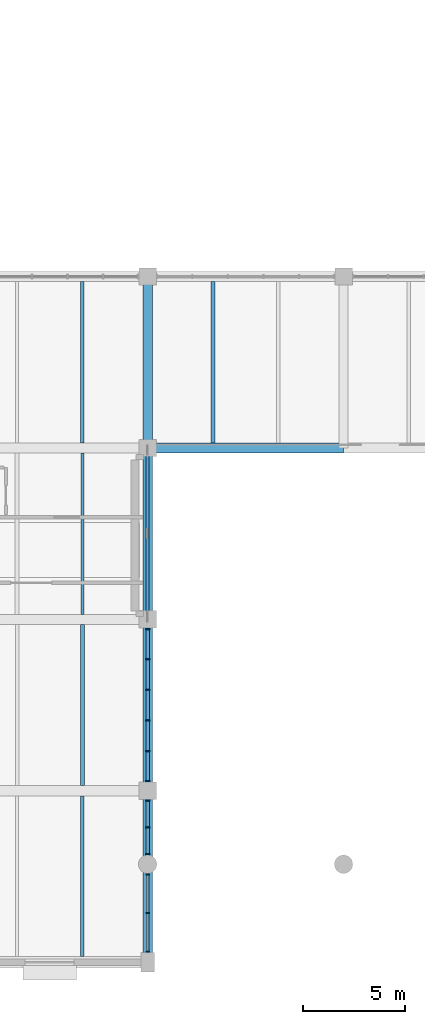
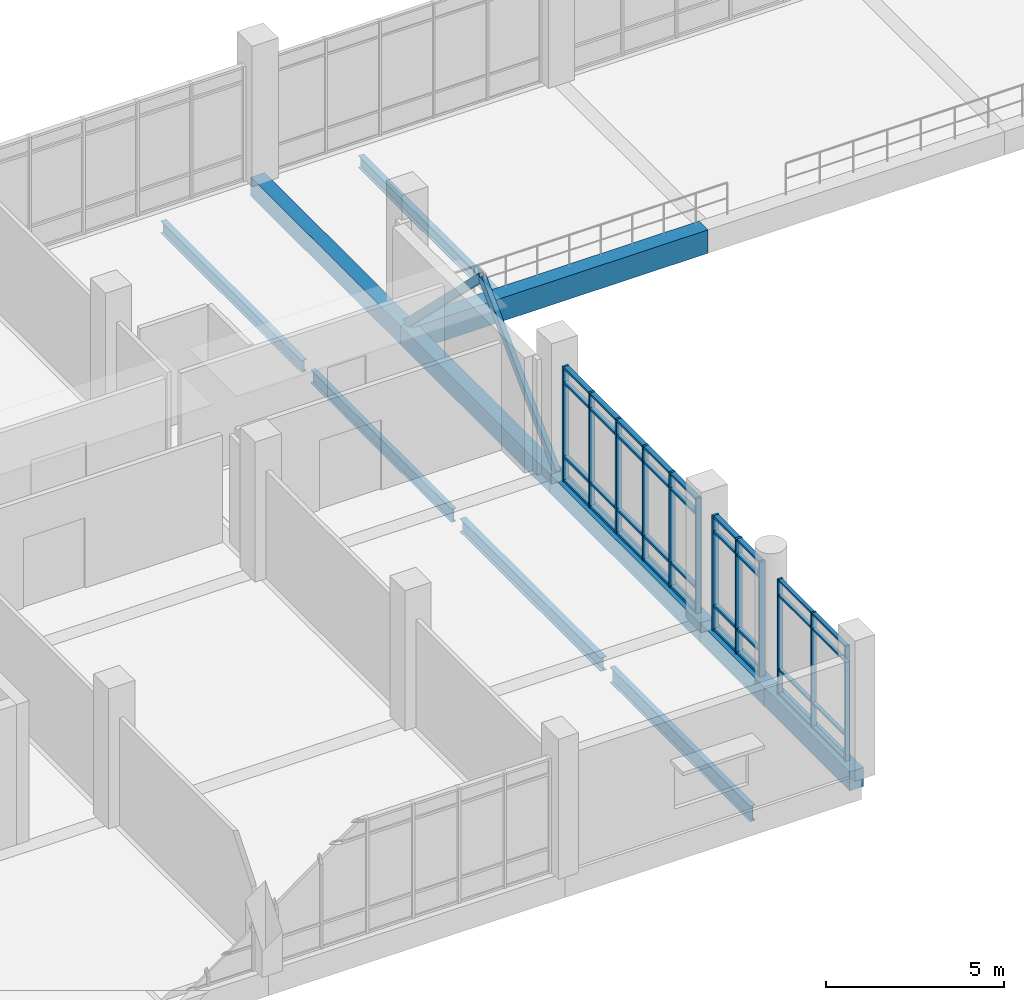
# One storey, part 19 of 152: 50 members, 11 beams, 3 elements without a shape of their own.
"""IFC4 building model written with IfcOpenShell, lengths in metres."""

from ifc_helpers import new_model, si_unit, direction, frame, origin, origin_2d, place, context, subcontext, project, spatial, rectangle, hollow_rectangle, i_section, extrude, material, material_profile, profile_set, type_object, element, aggregate, save


model = new_model("IFC4")

# Units and contexts
model_context = context("Model", 3, precision=1e-05, world=origin(), true_north=direction((0.0, 1.0)))
body_context = subcontext(model_context, "Body", "Model", "MODEL_VIEW")
ifc_project = project(units=[si_unit("LENGTHUNIT", "METRE"), si_unit("AREAUNIT", "SQUARE_METRE"), si_unit("VOLUMEUNIT", "CUBIC_METRE"), si_unit("PLANEANGLEUNIT", "RADIAN"), si_unit("MASSUNIT", "GRAM", prefix="KILO")], contexts=[model_context])

# Site, building, storey
site_placement = place(None, origin())
site = spatial("IfcSite", under=ifc_project, at=site_placement, CompositionType="ELEMENT")
building_placement = place(site_placement, origin())
building = spatial("IfcBuilding", under=site, at=building_placement, Name="Oolite Switchyard Hospital", CompositionType="ELEMENT")
storey_placement = place(building_placement, frame((0.0, 0.0, 5.10009765625)))
storey = spatial("IfcBuildingStorey", under=building, at=storey_placement, Name="L01", CompositionType="ELEMENT", Elevation=5.10009765625)

# Beams
ifc_material_1 = material(Name="Concrete C40/50", Category="concrete")
ifc_material_profile_1 = material_profile(ifc_material_1, rectangle(XDim=0.449951171875, YDim=0.64990234375, at=origin_2d()), Name="RCB450X650")
ifc_profile_set_1 = profile_set([ifc_material_profile_1], Name="Concrete C40/50")
beam_type_1 = type_object("IfcBeamType", Name="BM-RC450X650", PredefinedType="BEAM", material=ifc_profile_set_1)
beam_1_placement = place(storey_placement, frame((67.199951171875, 0.0, -0.3251953125), z_axis=(0.0, 1.0, 0.0), x_axis=(-1.0, 0.0, 0.0)))
element("IfcBeam", 1, at=beam_1_placement, inside=storey, type_object=beam_type_1, Name="L01 Y-Girder 397", PredefinedType="BEAM", context=body_context, shape_type="SweptSolid", body=[
    extrude(rectangle(XDim=0.449951171875, YDim=0.64990234375, at=origin_2d()), origin(), (0.0, 0.0, 1.0), 4.800048828125),
])
beam_2_placement = place(storey_placement, frame((67.199951171875, 4.800048828125, -0.3251953125), z_axis=(0.0, 1.0, 0.0), x_axis=(-1.0, 0.0, 0.0)))
element("IfcBeam", 2, at=beam_2_placement, inside=storey, type_object=beam_type_1, Name="L01 Y-Girder 398", PredefinedType="BEAM", context=body_context, shape_type="SweptSolid", body=[
    extrude(rectangle(XDim=0.449951171875, YDim=0.64990234375, at=origin_2d()), origin(), (0.0, 0.0, 1.0), 3.599853515625),
])
beam_3_placement = place(storey_placement, frame((67.199951171875, 8.39990234375, -0.3251953125), z_axis=(0.0, 1.0, 0.0), x_axis=(-1.0, 0.0, 0.0)))
element("IfcBeam", 3, at=beam_3_placement, inside=storey, type_object=beam_type_1, Name="L01 Y-Girder 399", PredefinedType="BEAM", context=body_context, shape_type="SweptSolid", body=[
    extrude(rectangle(XDim=0.449951171875, YDim=0.64990234375, at=origin_2d()), origin(), (0.0, 0.0, 1.0), 8.400146484375),
])
beam_4_placement = place(storey_placement, frame((67.199951171875, 16.800048828125, -0.3251953125), z_axis=(0.0, 1.0, 0.0), x_axis=(-1.0, 0.0, 0.0)))
element("IfcBeam", 4, at=beam_4_placement, inside=storey, type_object=beam_type_1, Name="L01 Y-Girder 400", PredefinedType="BEAM", context=body_context, shape_type="SweptSolid", body=[
    extrude(rectangle(XDim=0.449951171875, YDim=0.64990234375, at=origin_2d()), origin(), (0.0, 0.0, 1.0), 8.39990234375),
])
beam_5_placement = place(storey_placement, frame((67.199951171875, 25.199951171875, -0.3251953125), z_axis=(0.0, 1.0, 0.0), x_axis=(-1.0, 0.0, 0.0)))
element("IfcBeam", 5, at=beam_5_placement, inside=storey, type_object=beam_type_1, Name="L01 Y-Girder 401", PredefinedType="BEAM", context=body_context, shape_type="SweptSolid", body=[
    extrude(rectangle(XDim=0.449951171875, YDim=0.64990234375, at=origin_2d()), origin(), (0.0, 0.0, 1.0), 8.400146484375),
])
ifc_material_profile_2 = material_profile(ifc_material_1, rectangle(XDim=0.5, YDim=0.800048828125, at=origin_2d()), Name="RCB500X800")
ifc_profile_set_2 = profile_set([ifc_material_profile_2], Name="Concrete C40/50")
beam_type_2 = type_object("IfcBeamType", Name="BM-RC500X800", PredefinedType="BEAM", material=ifc_profile_set_2)
beam_6_placement = place(storey_placement, frame((67.199951171875, 25.199951171875, -0.400146484375), z_axis=(1.0, 0.0, 0.0), x_axis=(0.0, 1.0, 0.0)))
element("IfcBeam", 6, at=beam_6_placement, inside=storey, type_object=beam_type_2, Name="L01 X-Girder 48", PredefinedType="BEAM", context=body_context, shape_type="SweptSolid", body=[
    extrude(rectangle(XDim=0.5, YDim=0.800048828125, at=origin_2d()), origin(), (0.0, 0.0, 1.0), 9.60009765625),
])
ifc_material_2 = material(Name="Steel ASTM A992 Grade 50", Category="steel")
ifc_material_profile_3 = material_profile(ifc_material_2, i_section(OverallWidth=0.179931640625, OverallDepth=0.4130859375, WebThickness=0.010009765625, FlangeThickness=0.01611328125, at=origin_2d()), Name="W16X50")
ifc_profile_set_3 = profile_set([ifc_material_profile_3], Name="Steel ASTM A992 Grade 50")
beam_type_3 = type_object("IfcBeamType", Name="BM-W16X50", PredefinedType="JOIST", material=ifc_profile_set_3)
for number, where, z_axis, x_axis, name in (
    (7, (64.0, 25.449951171875, -0.482177734375), (0.0, 1.0, 0.0), (-1.0, 0.0, 0.0), "L01 Secondary Steel Joist 745"),
    (8, (70.39990234375, 25.449951171875, -0.482177734375), (0.0, 1.0, 0.0), (-1.0, 0.0, 0.0), "L01 Secondary Steel Joist 754"),
):
    element("IfcBeam", number, at=place(storey_placement, frame(where, z_axis=z_axis, x_axis=x_axis)), inside=storey, type_object=beam_type_3, Name=name, PredefinedType="JOIST", context=body_context, shape_type="SweptSolid", body=[
        extrude(i_section(OverallWidth=0.179931640625, OverallDepth=0.4130859375, WebThickness=0.010009765625, FlangeThickness=0.01611328125, at=origin_2d()), origin(), (0.0, 0.0, 1.0), 7.900146484375),
    ])
ifc_material_profile_4 = material_profile(ifc_material_2, i_section(OverallWidth=0.153076171875, OverallDepth=0.455078125, WebThickness=0.008056640625, FlangeThickness=0.012939453125, at=origin_2d()), Name="W18X40")
ifc_profile_set_4 = profile_set([ifc_material_profile_4], Name="Steel ASTM A992 Grade 50")
beam_type_4 = type_object("IfcBeamType", Name="BM-W18X40", PredefinedType="JOIST", material=ifc_profile_set_4)
beam_7_placement = place(storey_placement, frame((64.0, 17.050048828125, -0.503173828125), z_axis=(0.0, 1.0, 0.0), x_axis=(-1.0, 0.0, 0.0)))
element("IfcBeam", 9, at=beam_7_placement, inside=storey, type_object=beam_type_4, Name="L01 Secondary Steel Joist 743", PredefinedType="JOIST", context=body_context, shape_type="SweptSolid", body=[
    extrude(i_section(OverallWidth=0.153076171875, OverallDepth=0.455078125, WebThickness=0.008056640625, FlangeThickness=0.012939453125, at=origin_2d()), origin(), (0.0, 0.0, 1.0), 7.89990234375),
])
ifc_material_profile_5 = material_profile(ifc_material_2, i_section(OverallWidth=0.19091796875, OverallDepth=0.4599609375, WebThickness=0.010009765625, FlangeThickness=0.01611328125, at=origin_2d()), Name="W18X55")
ifc_profile_set_5 = profile_set([ifc_material_profile_5], Name="Steel ASTM A992 Grade 50")
beam_type_5 = type_object("IfcBeamType", Name="BM-W18X55", PredefinedType="JOIST", material=ifc_profile_set_5)
beam_8_placement = place(storey_placement, frame((64.0, 8.64990234375, -0.505126953125), z_axis=(0.0, 1.0, 0.0), x_axis=(-1.0, 0.0, 0.0)))
element("IfcBeam", 10, at=beam_8_placement, inside=storey, type_object=beam_type_5, Name="L01 Secondary Steel Joist 741", PredefinedType="JOIST", context=body_context, shape_type="SweptSolid", body=[
    extrude(i_section(OverallWidth=0.19091796875, OverallDepth=0.4599609375, WebThickness=0.010009765625, FlangeThickness=0.01611328125, at=origin_2d()), origin(), (0.0, 0.0, 1.0), 7.900146484375),
])
ifc_material_profile_6 = material_profile(ifc_material_2, i_section(OverallWidth=0.166015625, OverallDepth=0.529052734375, WebThickness=0.010009765625, FlangeThickness=0.013916015625, at=origin_2d()), Name="W21X50")
ifc_profile_set_6 = profile_set([ifc_material_profile_6], Name="Steel ASTM A992 Grade 50")
beam_type_6 = type_object("IfcBeamType", Name="BM-W21X50", PredefinedType="JOIST", material=ifc_profile_set_6)
beam_9_placement = place(storey_placement, frame((64.0, 0.27490234375, -0.5400390625), z_axis=(0.0, 1.0, 0.0), x_axis=(-1.0, 0.0, 0.0)))
element("IfcBeam", 11, at=beam_9_placement, inside=storey, type_object=beam_type_6, Name="L01 Secondary Steel Joist 739", PredefinedType="JOIST", context=body_context, shape_type="SweptSolid", body=[
    extrude(i_section(OverallWidth=0.166015625, OverallDepth=0.529052734375, WebThickness=0.010009765625, FlangeThickness=0.013916015625, at=origin_2d()), origin(), (0.0, 0.0, 1.0), 7.875),
])

# Curtain wall, members
ifc_material_3 = material(Name="Thermally broken aluminum frame with laminated impact glazing", Category="aluminium")
curtain_wall_type = type_object("IfcCurtainWallType", Name="CW-UNIT-84X48", PredefinedType="USERDEFINED", material=ifc_material_3)
curtain_wall_1_placement = place(storey_placement, origin())
curtain_wall_1 = element("IfcCurtainWall", 12, at=curtain_wall_1_placement, inside=storey, type_object=curtain_wall_type, Name="L01 Unitised Curtain Wall 176", ObjectType="UNITISED", PredefinedType="USERDEFINED")
ifc_material_4 = material(Name="Aluminium 6063-T6", Category="aluminium")
ifc_material_profile_7 = material_profile(ifc_material_4, rectangle(XDim=0.159912109375, YDim=0.06005859375, at=origin_2d()), Name="CWM60X160")
ifc_profile_set_7 = profile_set([ifc_material_profile_7], Name="Aluminium 6063-T6")
member_type_1 = type_object("IfcMemberType", Name="CW-MUL-180", PredefinedType="MULLION", material=ifc_profile_set_7)
member_1_placement = place(storey_placement, frame((67.199951171875, 4.304931640625, 0.0), z_axis=(0.0, 0.0, 1.0), x_axis=(1.0, 0.0, 0.0)))
member_1 = element("IfcMember", 13, at=member_1_placement, type_object=member_type_1, Name="CW-07 mullion 1", PredefinedType="MULLION", context=body_context, shape_type="SweptSolid", body=[
    extrude(rectangle(XDim=0.159912109375, YDim=0.06005859375, at=origin_2d()), origin(), (0.0, 0.0, 1.0), 3.93994140625),
])
member_2_placement = place(storey_placement, frame((67.199951171875, 2.41259765625, 0.0), z_axis=(0.0, 0.0, 1.0), x_axis=(1.0, 0.0, 0.0)))
member_2 = element("IfcMember", 14, at=member_2_placement, type_object=member_type_1, Name="CW-07 mullion 2", PredefinedType="MULLION", context=body_context, shape_type="SweptSolid", body=[
    extrude(rectangle(XDim=0.159912109375, YDim=0.06005859375, at=origin_2d()), origin(), (0.0, 0.0, 1.0), 3.93994140625),
])
member_3_placement = place(storey_placement, frame((67.199951171875, 0.52001953125, 0.0), z_axis=(0.0, 0.0, 1.0), x_axis=(1.0, 0.0, 0.0)))
member_3 = element("IfcMember", 15, at=member_3_placement, type_object=member_type_1, Name="CW-07 mullion 3", PredefinedType="MULLION", context=body_context, shape_type="SweptSolid", body=[
    extrude(rectangle(XDim=0.159912109375, YDim=0.06005859375, at=origin_2d()), origin(), (0.0, 0.0, 1.0), 3.93994140625),
])

curtain_wall_2_placement = place(storey_placement, origin())
curtain_wall_2 = element("IfcCurtainWall", 16, at=curtain_wall_2_placement, inside=storey, type_object=curtain_wall_type, Name="L01 Unitised Curtain Wall 177", ObjectType="UNITISED", PredefinedType="USERDEFINED")
ifc_material_profile_8 = material_profile(ifc_material_4, rectangle(XDim=0.179931640625, YDim=0.070068359375, at=origin_2d()), Name="CWM70X180")
ifc_profile_set_8 = profile_set([ifc_material_profile_8], Name="Aluminium 6063-T6")
member_type_2 = type_object("IfcMemberType", Name="CW-MUL-220", PredefinedType="MULLION", material=ifc_profile_set_8)
member_4_placement = place(storey_placement, frame((67.199951171875, 16.324951171875, 0.0), z_axis=(0.0, 0.0, 1.0), x_axis=(1.0, 0.0, 0.0)))
member_4 = element("IfcMember", 17, at=member_4_placement, type_object=member_type_2, Name="CW-07 mullion 1", PredefinedType="MULLION", context=body_context, shape_type="SweptSolid", body=[
    extrude(rectangle(XDim=0.179931640625, YDim=0.070068359375, at=origin_2d()), origin(), (0.0, 0.0, 1.0), 3.93994140625),
])
member_5_placement = place(storey_placement, frame((67.199951171875, 14.85595703125, 0.0), z_axis=(0.0, 0.0, 1.0), x_axis=(1.0, 0.0, 0.0)))
member_5 = element("IfcMember", 18, at=member_5_placement, type_object=member_type_2, Name="CW-07 mullion 2", PredefinedType="MULLION", context=body_context, shape_type="SweptSolid", body=[
    extrude(rectangle(XDim=0.179931640625, YDim=0.070068359375, at=origin_2d()), origin(), (0.0, 0.0, 1.0), 3.93994140625),
])
member_6_placement = place(storey_placement, frame((67.199951171875, 13.35205078125, 0.0), z_axis=(0.0, 0.0, 1.0), x_axis=(1.0, 0.0, 0.0)))
member_6 = element("IfcMember", 19, at=member_6_placement, type_object=member_type_2, Name="CW-07 mullion 3", PredefinedType="MULLION", context=body_context, shape_type="SweptSolid", body=[
    extrude(rectangle(XDim=0.179931640625, YDim=0.070068359375, at=origin_2d()), origin(), (0.0, 0.0, 1.0), 3.93994140625),
])
member_7_placement = place(storey_placement, frame((67.199951171875, 11.847900390625, 0.0), z_axis=(0.0, 0.0, 1.0), x_axis=(1.0, 0.0, 0.0)))
member_7 = element("IfcMember", 20, at=member_7_placement, type_object=member_type_2, Name="CW-07 mullion 4", PredefinedType="MULLION", context=body_context, shape_type="SweptSolid", body=[
    extrude(rectangle(XDim=0.179931640625, YDim=0.070068359375, at=origin_2d()), origin(), (0.0, 0.0, 1.0), 3.93994140625),
])
member_8_placement = place(storey_placement, frame((67.199951171875, 10.343994140625, 0.0), z_axis=(0.0, 0.0, 1.0), x_axis=(1.0, 0.0, 0.0)))
member_8 = element("IfcMember", 21, at=member_8_placement, type_object=member_type_2, Name="CW-07 mullion 5", PredefinedType="MULLION", context=body_context, shape_type="SweptSolid", body=[
    extrude(rectangle(XDim=0.179931640625, YDim=0.070068359375, at=origin_2d()), origin(), (0.0, 0.0, 1.0), 3.93994140625),
])
member_9_placement = place(storey_placement, frame((67.199951171875, 8.875, 0.0), z_axis=(0.0, 0.0, 1.0), x_axis=(1.0, 0.0, 0.0)))
member_9 = element("IfcMember", 22, at=member_9_placement, type_object=member_type_2, Name="CW-07 mullion 6", PredefinedType="MULLION", context=body_context, shape_type="SweptSolid", body=[
    extrude(rectangle(XDim=0.179931640625, YDim=0.070068359375, at=origin_2d()), origin(), (0.0, 0.0, 1.0), 3.93994140625),
])

curtain_wall_3_placement = place(storey_placement, origin())
curtain_wall_3 = element("IfcCurtainWall", 23, at=curtain_wall_3_placement, inside=storey, type_object=curtain_wall_type, Name="L01 Unitised Curtain Wall 175", ObjectType="UNITISED", PredefinedType="USERDEFINED")
ifc_material_profile_9 = material_profile(ifc_material_4, rectangle(XDim=0.199951171875, YDim=0.074951171875, at=origin_2d()), Name="CWM75X200")
ifc_profile_set_9 = profile_set([ifc_material_profile_9], Name="Aluminium 6063-T6")
member_type_3 = type_object("IfcMemberType", Name="CW-MUL-260", PredefinedType="MULLION", material=ifc_profile_set_9)
member_10_placement = place(storey_placement, frame((67.199951171875, 7.922607421875, 0.0), z_axis=(0.0, 0.0, 1.0), x_axis=(1.0, 0.0, 0.0)))
member_10 = element("IfcMember", 24, at=member_10_placement, type_object=member_type_3, Name="CW-07 mullion 1", PredefinedType="MULLION", context=body_context, shape_type="SweptSolid", body=[
    extrude(rectangle(XDim=0.199951171875, YDim=0.074951171875, at=origin_2d()), origin(), (0.0, 0.0, 1.0), 3.93994140625),
])
member_11_placement = place(storey_placement, frame((67.199951171875, 6.612548828125, 0.0), z_axis=(0.0, 0.0, 1.0), x_axis=(1.0, 0.0, 0.0)))
member_11 = element("IfcMember", 25, at=member_11_placement, type_object=member_type_3, Name="CW-07 mullion 2", PredefinedType="MULLION", context=body_context, shape_type="SweptSolid", body=[
    extrude(rectangle(XDim=0.199951171875, YDim=0.074951171875, at=origin_2d()), origin(), (0.0, 0.0, 1.0), 3.93994140625),
])
member_12_placement = place(storey_placement, frame((67.199951171875, 5.302490234375, 0.0), z_axis=(0.0, 0.0, 1.0), x_axis=(1.0, 0.0, 0.0)))
member_12 = element("IfcMember", 26, at=member_12_placement, type_object=member_type_3, Name="CW-07 mullion 3", PredefinedType="MULLION", context=body_context, shape_type="SweptSolid", body=[
    extrude(rectangle(XDim=0.199951171875, YDim=0.074951171875, at=origin_2d()), origin(), (0.0, 0.0, 1.0), 3.93994140625),
])

# Member
ifc_material_profile_10 = material_profile(ifc_material_4, rectangle(XDim=0.1201171875, YDim=0.06005859375, at=origin_2d()), Name="CWT60X120")
ifc_profile_set_10 = profile_set([ifc_material_profile_10], Name="Aluminium 6063-T6")
member_type_4 = type_object("IfcMemberType", Name="CW-TRN-150", PredefinedType="USERDEFINED", material=ifc_profile_set_10)
member_13_placement = place(storey_placement, frame((67.199951171875, 4.27490234375, 0.02978515625), z_axis=(0.0, -1.0, 0.0), x_axis=(1.0, 0.0, 0.0)))
member_13 = element("IfcMember", 27, at=member_13_placement, type_object=member_type_4, Name="CW-07 transom 1.1", ObjectType="TRANSOM", PredefinedType="USERDEFINED", context=body_context, shape_type="SweptSolid", body=[
    extrude(rectangle(XDim=0.1201171875, YDim=0.06005859375, at=origin_2d()), origin(), (0.0, 0.0, 1.0), 1.83251953125),
])

member_14_placement = place(storey_placement, frame((67.199951171875, 4.27490234375, 0.849853515625), z_axis=(0.0, -1.0, 0.0), x_axis=(1.0, 0.0, 0.0)))
member_14 = element("IfcMember", 28, at=member_14_placement, type_object=member_type_4, Name="CW-07 transom 1.2", ObjectType="TRANSOM", PredefinedType="USERDEFINED", context=body_context, shape_type="SweptSolid", body=[
    extrude(rectangle(XDim=0.1201171875, YDim=0.06005859375, at=origin_2d()), origin(), (0.0, 0.0, 1.0), 1.83251953125),
])

member_15_placement = place(storey_placement, frame((67.199951171875, 4.27490234375, 3.389892578125), z_axis=(0.0, -1.0, 0.0), x_axis=(1.0, 0.0, 0.0)))
member_15 = element("IfcMember", 29, at=member_15_placement, type_object=member_type_4, Name="CW-07 transom 1.3", ObjectType="TRANSOM", PredefinedType="USERDEFINED", context=body_context, shape_type="SweptSolid", body=[
    extrude(rectangle(XDim=0.1201171875, YDim=0.06005859375, at=origin_2d()), origin(), (0.0, 0.0, 1.0), 1.83251953125),
])

member_16_placement = place(storey_placement, frame((67.199951171875, 4.27490234375, 3.909912109375), z_axis=(0.0, -1.0, 0.0), x_axis=(1.0, 0.0, 0.0)))
member_16 = element("IfcMember", 30, at=member_16_placement, type_object=member_type_4, Name="CW-07 transom 1.4", ObjectType="TRANSOM", PredefinedType="USERDEFINED", context=body_context, shape_type="SweptSolid", body=[
    extrude(rectangle(XDim=0.1201171875, YDim=0.06005859375, at=origin_2d()), origin(), (0.0, 0.0, 1.0), 1.83251953125),
])

member_17_placement = place(storey_placement, frame((67.199951171875, 2.382568359375, 0.02978515625), z_axis=(0.0, -1.0, 0.0), x_axis=(1.0, 0.0, 0.0)))
member_17 = element("IfcMember", 31, at=member_17_placement, type_object=member_type_4, Name="CW-07 transom 2.1", ObjectType="TRANSOM", PredefinedType="USERDEFINED", context=body_context, shape_type="SweptSolid", body=[
    extrude(rectangle(XDim=0.1201171875, YDim=0.06005859375, at=origin_2d()), origin(), (0.0, 0.0, 1.0), 1.83251953125),
])

member_18_placement = place(storey_placement, frame((67.199951171875, 2.382568359375, 0.849853515625), z_axis=(0.0, -1.0, 0.0), x_axis=(1.0, 0.0, 0.0)))
member_18 = element("IfcMember", 32, at=member_18_placement, type_object=member_type_4, Name="CW-07 transom 2.2", ObjectType="TRANSOM", PredefinedType="USERDEFINED", context=body_context, shape_type="SweptSolid", body=[
    extrude(rectangle(XDim=0.1201171875, YDim=0.06005859375, at=origin_2d()), origin(), (0.0, 0.0, 1.0), 1.83251953125),
])

member_19_placement = place(storey_placement, frame((67.199951171875, 2.382568359375, 3.389892578125), z_axis=(0.0, -1.0, 0.0), x_axis=(1.0, 0.0, 0.0)))
member_19 = element("IfcMember", 33, at=member_19_placement, type_object=member_type_4, Name="CW-07 transom 2.3", ObjectType="TRANSOM", PredefinedType="USERDEFINED", context=body_context, shape_type="SweptSolid", body=[
    extrude(rectangle(XDim=0.1201171875, YDim=0.06005859375, at=origin_2d()), origin(), (0.0, 0.0, 1.0), 1.83251953125),
])

member_20_placement = place(storey_placement, frame((67.199951171875, 2.382568359375, 3.909912109375), z_axis=(0.0, -1.0, 0.0), x_axis=(1.0, 0.0, 0.0)))
member_20 = element("IfcMember", 34, at=member_20_placement, type_object=member_type_4, Name="CW-07 transom 2.4", ObjectType="TRANSOM", PredefinedType="USERDEFINED", context=body_context, shape_type="SweptSolid", body=[
    extrude(rectangle(XDim=0.1201171875, YDim=0.06005859375, at=origin_2d()), origin(), (0.0, 0.0, 1.0), 1.83251953125),
])

aggregate(curtain_wall_1, [member_1, member_2, member_3, member_13, member_14, member_15, member_16, member_17, member_18, member_19, member_20])

ifc_material_profile_11 = material_profile(ifc_material_4, rectangle(XDim=0.159912109375, YDim=0.074951171875, at=origin_2d()), Name="CWT75X160")
ifc_profile_set_11 = profile_set([ifc_material_profile_11], Name="Aluminium 6063-T6")
member_type_5 = type_object("IfcMemberType", Name="CW-TRN-180", PredefinedType="USERDEFINED", material=ifc_profile_set_11)
member_21_placement = place(storey_placement, frame((67.199951171875, 7.885009765625, 0.037353515625), z_axis=(0.0, -1.0, 0.0), x_axis=(1.0, 0.0, 0.0)))
member_21 = element("IfcMember", 35, at=member_21_placement, type_object=member_type_5, Name="CW-07 transom 1.1", ObjectType="TRANSOM", PredefinedType="USERDEFINED", context=body_context, shape_type="SweptSolid", body=[
    extrude(rectangle(XDim=0.159912109375, YDim=0.074951171875, at=origin_2d()), origin(), (0.0, 0.0, 1.0), 1.235107421875),
])

member_22_placement = place(storey_placement, frame((67.199951171875, 7.885009765625, 0.849853515625), z_axis=(0.0, -1.0, 0.0), x_axis=(1.0, 0.0, 0.0)))
member_22 = element("IfcMember", 36, at=member_22_placement, type_object=member_type_5, Name="CW-07 transom 1.2", ObjectType="TRANSOM", PredefinedType="USERDEFINED", context=body_context, shape_type="SweptSolid", body=[
    extrude(rectangle(XDim=0.159912109375, YDim=0.074951171875, at=origin_2d()), origin(), (0.0, 0.0, 1.0), 1.235107421875),
])

member_23_placement = place(storey_placement, frame((67.199951171875, 7.885009765625, 3.389892578125), z_axis=(0.0, -1.0, 0.0), x_axis=(1.0, 0.0, 0.0)))
member_23 = element("IfcMember", 37, at=member_23_placement, type_object=member_type_5, Name="CW-07 transom 1.3", ObjectType="TRANSOM", PredefinedType="USERDEFINED", context=body_context, shape_type="SweptSolid", body=[
    extrude(rectangle(XDim=0.159912109375, YDim=0.074951171875, at=origin_2d()), origin(), (0.0, 0.0, 1.0), 1.235107421875),
])

member_24_placement = place(storey_placement, frame((67.199951171875, 7.885009765625, 3.90234375), z_axis=(0.0, -1.0, 0.0), x_axis=(1.0, 0.0, 0.0)))
member_24 = element("IfcMember", 38, at=member_24_placement, type_object=member_type_5, Name="CW-07 transom 1.4", ObjectType="TRANSOM", PredefinedType="USERDEFINED", context=body_context, shape_type="SweptSolid", body=[
    extrude(rectangle(XDim=0.159912109375, YDim=0.074951171875, at=origin_2d()), origin(), (0.0, 0.0, 1.0), 1.235107421875),
])

member_25_placement = place(storey_placement, frame((67.199951171875, 6.574951171875, 0.037353515625), z_axis=(0.0, -1.0, 0.0), x_axis=(1.0, 0.0, 0.0)))
member_25 = element("IfcMember", 39, at=member_25_placement, type_object=member_type_5, Name="CW-07 transom 2.1", ObjectType="TRANSOM", PredefinedType="USERDEFINED", context=body_context, shape_type="SweptSolid", body=[
    extrude(rectangle(XDim=0.159912109375, YDim=0.074951171875, at=origin_2d()), origin(), (0.0, 0.0, 1.0), 1.23486328125),
])

member_26_placement = place(storey_placement, frame((67.199951171875, 6.574951171875, 0.849853515625), z_axis=(0.0, -1.0, 0.0), x_axis=(1.0, 0.0, 0.0)))
member_26 = element("IfcMember", 40, at=member_26_placement, type_object=member_type_5, Name="CW-07 transom 2.2", ObjectType="TRANSOM", PredefinedType="USERDEFINED", context=body_context, shape_type="SweptSolid", body=[
    extrude(rectangle(XDim=0.159912109375, YDim=0.074951171875, at=origin_2d()), origin(), (0.0, 0.0, 1.0), 1.23486328125),
])

member_27_placement = place(storey_placement, frame((67.199951171875, 6.574951171875, 3.389892578125), z_axis=(0.0, -1.0, 0.0), x_axis=(1.0, 0.0, 0.0)))
member_27 = element("IfcMember", 41, at=member_27_placement, type_object=member_type_5, Name="CW-07 transom 2.3", ObjectType="TRANSOM", PredefinedType="USERDEFINED", context=body_context, shape_type="SweptSolid", body=[
    extrude(rectangle(XDim=0.159912109375, YDim=0.074951171875, at=origin_2d()), origin(), (0.0, 0.0, 1.0), 1.23486328125),
])

member_28_placement = place(storey_placement, frame((67.199951171875, 6.574951171875, 3.90234375), z_axis=(0.0, -1.0, 0.0), x_axis=(1.0, 0.0, 0.0)))
member_28 = element("IfcMember", 42, at=member_28_placement, type_object=member_type_5, Name="CW-07 transom 2.4", ObjectType="TRANSOM", PredefinedType="USERDEFINED", context=body_context, shape_type="SweptSolid", body=[
    extrude(rectangle(XDim=0.159912109375, YDim=0.074951171875, at=origin_2d()), origin(), (0.0, 0.0, 1.0), 1.23486328125),
])

aggregate(curtain_wall_3, [member_10, member_11, member_12, member_21, member_22, member_23, member_24, member_25, member_26, member_27, member_28])

member_29_placement = place(storey_placement, frame((67.199951171875, 16.2900390625, 0.037353515625), z_axis=(0.0, -1.0, 0.0), x_axis=(1.0, 0.0, 0.0)))
member_29 = element("IfcMember", 43, at=member_29_placement, type_object=member_type_5, Name="CW-07 transom 1.1", ObjectType="TRANSOM", PredefinedType="USERDEFINED", context=body_context, shape_type="SweptSolid", body=[
    extrude(rectangle(XDim=0.159912109375, YDim=0.074951171875, at=origin_2d()), origin(), (0.0, 0.0, 1.0), 1.39892578125),
])

member_30_placement = place(storey_placement, frame((67.199951171875, 16.2900390625, 0.849853515625), z_axis=(0.0, -1.0, 0.0), x_axis=(1.0, 0.0, 0.0)))
member_30 = element("IfcMember", 44, at=member_30_placement, type_object=member_type_5, Name="CW-07 transom 1.2", ObjectType="TRANSOM", PredefinedType="USERDEFINED", context=body_context, shape_type="SweptSolid", body=[
    extrude(rectangle(XDim=0.159912109375, YDim=0.074951171875, at=origin_2d()), origin(), (0.0, 0.0, 1.0), 1.39892578125),
])

member_31_placement = place(storey_placement, frame((67.199951171875, 16.2900390625, 3.389892578125), z_axis=(0.0, -1.0, 0.0), x_axis=(1.0, 0.0, 0.0)))
member_31 = element("IfcMember", 45, at=member_31_placement, type_object=member_type_5, Name="CW-07 transom 1.3", ObjectType="TRANSOM", PredefinedType="USERDEFINED", context=body_context, shape_type="SweptSolid", body=[
    extrude(rectangle(XDim=0.159912109375, YDim=0.074951171875, at=origin_2d()), origin(), (0.0, 0.0, 1.0), 1.39892578125),
])

member_32_placement = place(storey_placement, frame((67.199951171875, 16.2900390625, 3.90234375), z_axis=(0.0, -1.0, 0.0), x_axis=(1.0, 0.0, 0.0)))
member_32 = element("IfcMember", 46, at=member_32_placement, type_object=member_type_5, Name="CW-07 transom 1.4", ObjectType="TRANSOM", PredefinedType="USERDEFINED", context=body_context, shape_type="SweptSolid", body=[
    extrude(rectangle(XDim=0.159912109375, YDim=0.074951171875, at=origin_2d()), origin(), (0.0, 0.0, 1.0), 1.39892578125),
])

member_33_placement = place(storey_placement, frame((67.199951171875, 14.821044921875, 0.037353515625), z_axis=(0.0, -1.0, 0.0), x_axis=(1.0, 0.0, 0.0)))
member_33 = element("IfcMember", 47, at=member_33_placement, type_object=member_type_5, Name="CW-07 transom 2.1", ObjectType="TRANSOM", PredefinedType="USERDEFINED", context=body_context, shape_type="SweptSolid", body=[
    extrude(rectangle(XDim=0.159912109375, YDim=0.074951171875, at=origin_2d()), origin(), (0.0, 0.0, 1.0), 1.43408203125),
])

member_34_placement = place(storey_placement, frame((67.199951171875, 14.821044921875, 0.849853515625), z_axis=(0.0, -1.0, 0.0), x_axis=(1.0, 0.0, 0.0)))
member_34 = element("IfcMember", 48, at=member_34_placement, type_object=member_type_5, Name="CW-07 transom 2.2", ObjectType="TRANSOM", PredefinedType="USERDEFINED", context=body_context, shape_type="SweptSolid", body=[
    extrude(rectangle(XDim=0.159912109375, YDim=0.074951171875, at=origin_2d()), origin(), (0.0, 0.0, 1.0), 1.43408203125),
])

member_35_placement = place(storey_placement, frame((67.199951171875, 14.821044921875, 3.389892578125), z_axis=(0.0, -1.0, 0.0), x_axis=(1.0, 0.0, 0.0)))
member_35 = element("IfcMember", 49, at=member_35_placement, type_object=member_type_5, Name="CW-07 transom 2.3", ObjectType="TRANSOM", PredefinedType="USERDEFINED", context=body_context, shape_type="SweptSolid", body=[
    extrude(rectangle(XDim=0.159912109375, YDim=0.074951171875, at=origin_2d()), origin(), (0.0, 0.0, 1.0), 1.43408203125),
])

member_36_placement = place(storey_placement, frame((67.199951171875, 14.821044921875, 3.90234375), z_axis=(0.0, -1.0, 0.0), x_axis=(1.0, 0.0, 0.0)))
member_36 = element("IfcMember", 50, at=member_36_placement, type_object=member_type_5, Name="CW-07 transom 2.4", ObjectType="TRANSOM", PredefinedType="USERDEFINED", context=body_context, shape_type="SweptSolid", body=[
    extrude(rectangle(XDim=0.159912109375, YDim=0.074951171875, at=origin_2d()), origin(), (0.0, 0.0, 1.0), 1.43408203125),
])

member_37_placement = place(storey_placement, frame((67.199951171875, 13.31689453125, 0.037353515625), z_axis=(0.0, -1.0, 0.0), x_axis=(1.0, 0.0, 0.0)))
member_37 = element("IfcMember", 51, at=member_37_placement, type_object=member_type_5, Name="CW-07 transom 3.1", ObjectType="TRANSOM", PredefinedType="USERDEFINED", context=body_context, shape_type="SweptSolid", body=[
    extrude(rectangle(XDim=0.159912109375, YDim=0.074951171875, at=origin_2d()), origin(), (0.0, 0.0, 1.0), 1.433837890625),
])

member_38_placement = place(storey_placement, frame((67.199951171875, 13.31689453125, 0.849853515625), z_axis=(0.0, -1.0, 0.0), x_axis=(1.0, 0.0, 0.0)))
member_38 = element("IfcMember", 52, at=member_38_placement, type_object=member_type_5, Name="CW-07 transom 3.2", ObjectType="TRANSOM", PredefinedType="USERDEFINED", context=body_context, shape_type="SweptSolid", body=[
    extrude(rectangle(XDim=0.159912109375, YDim=0.074951171875, at=origin_2d()), origin(), (0.0, 0.0, 1.0), 1.433837890625),
])

member_39_placement = place(storey_placement, frame((67.199951171875, 13.31689453125, 3.389892578125), z_axis=(0.0, -1.0, 0.0), x_axis=(1.0, 0.0, 0.0)))
member_39 = element("IfcMember", 53, at=member_39_placement, type_object=member_type_5, Name="CW-07 transom 3.3", ObjectType="TRANSOM", PredefinedType="USERDEFINED", context=body_context, shape_type="SweptSolid", body=[
    extrude(rectangle(XDim=0.159912109375, YDim=0.074951171875, at=origin_2d()), origin(), (0.0, 0.0, 1.0), 1.433837890625),
])

member_40_placement = place(storey_placement, frame((67.199951171875, 13.31689453125, 3.90234375), z_axis=(0.0, -1.0, 0.0), x_axis=(1.0, 0.0, 0.0)))
member_40 = element("IfcMember", 54, at=member_40_placement, type_object=member_type_5, Name="CW-07 transom 3.4", ObjectType="TRANSOM", PredefinedType="USERDEFINED", context=body_context, shape_type="SweptSolid", body=[
    extrude(rectangle(XDim=0.159912109375, YDim=0.074951171875, at=origin_2d()), origin(), (0.0, 0.0, 1.0), 1.433837890625),
])

member_41_placement = place(storey_placement, frame((67.199951171875, 11.81298828125, 0.037353515625), z_axis=(0.0, -1.0, 0.0), x_axis=(1.0, 0.0, 0.0)))
member_41 = element("IfcMember", 55, at=member_41_placement, type_object=member_type_5, Name="CW-07 transom 4.1", ObjectType="TRANSOM", PredefinedType="USERDEFINED", context=body_context, shape_type="SweptSolid", body=[
    extrude(rectangle(XDim=0.159912109375, YDim=0.074951171875, at=origin_2d()), origin(), (0.0, 0.0, 1.0), 1.43408203125),
])

member_42_placement = place(storey_placement, frame((67.199951171875, 11.81298828125, 0.849853515625), z_axis=(0.0, -1.0, 0.0), x_axis=(1.0, 0.0, 0.0)))
member_42 = element("IfcMember", 56, at=member_42_placement, type_object=member_type_5, Name="CW-07 transom 4.2", ObjectType="TRANSOM", PredefinedType="USERDEFINED", context=body_context, shape_type="SweptSolid", body=[
    extrude(rectangle(XDim=0.159912109375, YDim=0.074951171875, at=origin_2d()), origin(), (0.0, 0.0, 1.0), 1.43408203125),
])

member_43_placement = place(storey_placement, frame((67.199951171875, 11.81298828125, 3.389892578125), z_axis=(0.0, -1.0, 0.0), x_axis=(1.0, 0.0, 0.0)))
member_43 = element("IfcMember", 57, at=member_43_placement, type_object=member_type_5, Name="CW-07 transom 4.3", ObjectType="TRANSOM", PredefinedType="USERDEFINED", context=body_context, shape_type="SweptSolid", body=[
    extrude(rectangle(XDim=0.159912109375, YDim=0.074951171875, at=origin_2d()), origin(), (0.0, 0.0, 1.0), 1.43408203125),
])

member_44_placement = place(storey_placement, frame((67.199951171875, 11.81298828125, 3.90234375), z_axis=(0.0, -1.0, 0.0), x_axis=(1.0, 0.0, 0.0)))
member_44 = element("IfcMember", 58, at=member_44_placement, type_object=member_type_5, Name="CW-07 transom 4.4", ObjectType="TRANSOM", PredefinedType="USERDEFINED", context=body_context, shape_type="SweptSolid", body=[
    extrude(rectangle(XDim=0.159912109375, YDim=0.074951171875, at=origin_2d()), origin(), (0.0, 0.0, 1.0), 1.43408203125),
])

member_45_placement = place(storey_placement, frame((67.199951171875, 10.30908203125, 0.037353515625), z_axis=(0.0, -1.0, 0.0), x_axis=(1.0, 0.0, 0.0)))
member_45 = element("IfcMember", 59, at=member_45_placement, type_object=member_type_5, Name="CW-07 transom 5.1", ObjectType="TRANSOM", PredefinedType="USERDEFINED", context=body_context, shape_type="SweptSolid", body=[
    extrude(rectangle(XDim=0.159912109375, YDim=0.074951171875, at=origin_2d()), origin(), (0.0, 0.0, 1.0), 1.399169921875),
])

member_46_placement = place(storey_placement, frame((67.199951171875, 10.30908203125, 0.849853515625), z_axis=(0.0, -1.0, 0.0), x_axis=(1.0, 0.0, 0.0)))
member_46 = element("IfcMember", 60, at=member_46_placement, type_object=member_type_5, Name="CW-07 transom 5.2", ObjectType="TRANSOM", PredefinedType="USERDEFINED", context=body_context, shape_type="SweptSolid", body=[
    extrude(rectangle(XDim=0.159912109375, YDim=0.074951171875, at=origin_2d()), origin(), (0.0, 0.0, 1.0), 1.399169921875),
])

member_47_placement = place(storey_placement, frame((67.199951171875, 10.30908203125, 3.389892578125), z_axis=(0.0, -1.0, 0.0), x_axis=(1.0, 0.0, 0.0)))
member_47 = element("IfcMember", 61, at=member_47_placement, type_object=member_type_5, Name="CW-07 transom 5.3", ObjectType="TRANSOM", PredefinedType="USERDEFINED", context=body_context, shape_type="SweptSolid", body=[
    extrude(rectangle(XDim=0.159912109375, YDim=0.074951171875, at=origin_2d()), origin(), (0.0, 0.0, 1.0), 1.399169921875),
])

member_48_placement = place(storey_placement, frame((67.199951171875, 10.30908203125, 3.90234375), z_axis=(0.0, -1.0, 0.0), x_axis=(1.0, 0.0, 0.0)))
member_48 = element("IfcMember", 62, at=member_48_placement, type_object=member_type_5, Name="CW-07 transom 5.4", ObjectType="TRANSOM", PredefinedType="USERDEFINED", context=body_context, shape_type="SweptSolid", body=[
    extrude(rectangle(XDim=0.159912109375, YDim=0.074951171875, at=origin_2d()), origin(), (0.0, 0.0, 1.0), 1.399169921875),
])

aggregate(curtain_wall_2, [member_4, member_5, member_6, member_7, member_8, member_9, member_29, member_30, member_31, member_32, member_33, member_34, member_35, member_36, member_37, member_38, member_39, member_40, member_41, member_42, member_43, member_44, member_45, member_46, member_47, member_48])

# Members
ifc_material_5 = material(Name="Steel ASTM A500 Grade C", Category="steel")
ifc_material_profile_12 = material_profile(ifc_material_5, hollow_rectangle(XDim=0.152099609375, YDim=0.25390625, WallThickness=0.012939453125, at=origin_2d()), Name="HSS254X152X13")
ifc_profile_set_12 = profile_set([ifc_material_profile_12], Name="Steel ASTM A500 Grade C")
member_type_6 = type_object("IfcMemberType", Name="MEM-BR-RHS254", PredefinedType="BRACE", material=ifc_profile_set_12)
for number, where, z_axis, x_axis, name in (
    (63, (67.199951171875, 16.800048828125, 0.02001953125), (0.0, 0.713029550753, 0.701133981314), (-1.0, 0.0, 0.0), "L01 Chevron Brace 89"),
    (64, (67.199951171875, 25.199951171875, 0.02001953125), (0.0, -0.713029550753, 0.701133981314), (1.0, 0.0, 0.0), "L01 Chevron Brace 90"),
):
    element("IfcMember", number, at=place(storey_placement, frame(where, z_axis=z_axis, x_axis=x_axis)), inside=storey, type_object=member_type_6, Name=name, PredefinedType="BRACE", context=body_context, shape_type="SweptSolid", body=[
        extrude(hollow_rectangle(XDim=0.152099609375, YDim=0.25390625, WallThickness=0.012939453125, at=origin_2d()), origin(), (0.0, 0.0, 1.0), 5.890380859375),
    ])

save(model, "model.ifc")
